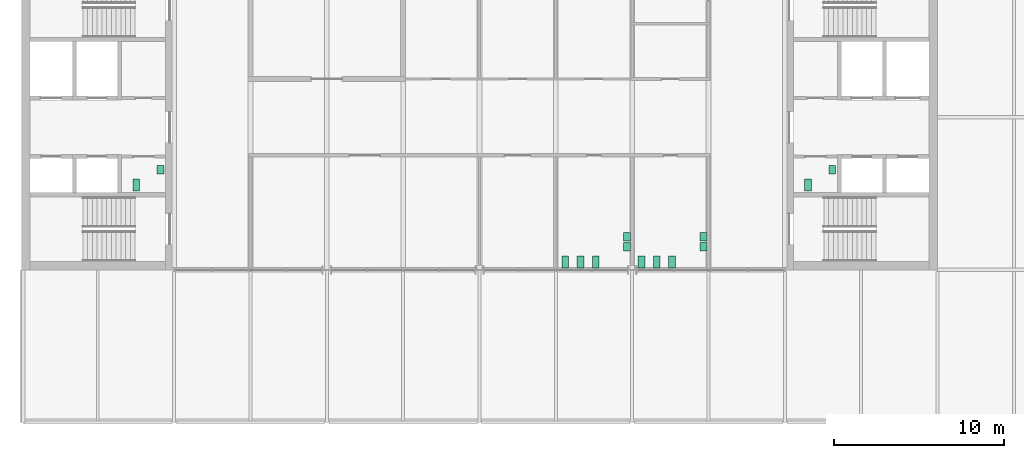
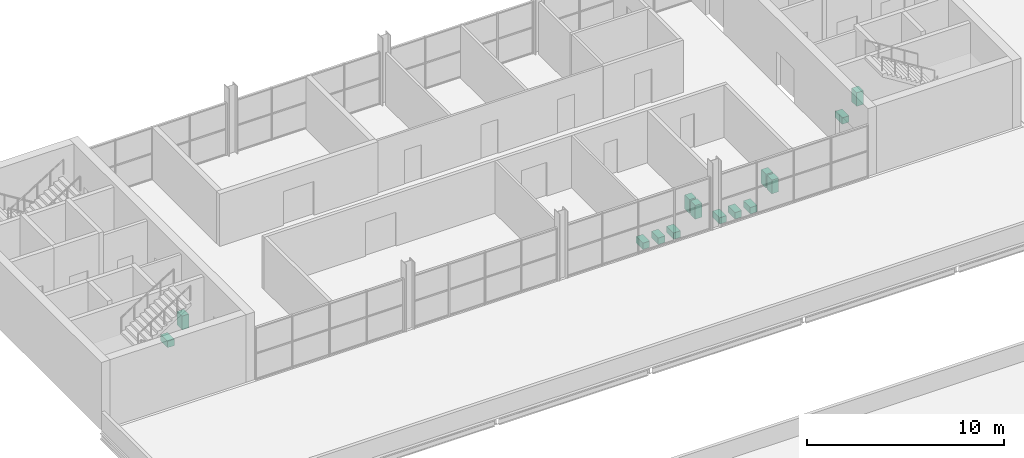
# One storey, part 50 of 50: 14 sanitary terminals.
"""IFC4 building model written with IfcOpenShell, lengths in metres."""

from ifc_helpers import new_model, si_unit, direction, frame, origin, origin_2d, place, context, subcontext, project, spatial, rectangle, extrude, element, save


model = new_model("IFC4")

# Units and contexts
model_context = context("Model", 3, precision=1e-05, world=origin(), true_north=direction((0.0, 1.0)))
body_context = subcontext(model_context, "Body", "Model", "MODEL_VIEW")
ifc_project = project(units=[si_unit("LENGTHUNIT", "METRE"), si_unit("AREAUNIT", "SQUARE_METRE"), si_unit("VOLUMEUNIT", "CUBIC_METRE"), si_unit("PLANEANGLEUNIT", "RADIAN"), si_unit("MASSUNIT", "GRAM", prefix="KILO")], contexts=[model_context])

# Site, building, storey
site_placement = place(None, origin())
site = spatial("IfcSite", under=ifc_project, at=site_placement, CompositionType="ELEMENT")
building_placement = place(site_placement, origin())
building = spatial("IfcBuilding", under=site, at=building_placement, Name="Corbel Yard City Hall", CompositionType="ELEMENT")
storey_placement = place(building_placement, frame((0.0, 0.0, 15.0)))
storey = spatial("IfcBuildingStorey", under=building, at=storey_placement, Name="L03", CompositionType="ELEMENT", Elevation=15.0)

# Sanitary terminals
sanitary_terminal_1_placement = place(storey_placement, frame((46.36669921875, 104.0, 0.0), z_axis=(0.0, 0.0, 1.0), x_axis=(1.0, 0.0, 0.0)))
element("IfcSanitaryTerminal", 1, at=sanitary_terminal_1_placement, inside=storey, Name="Water closet", PredefinedType="TOILETPAN", context=body_context, shape_type="SweptSolid", body=[
    extrude(rectangle(XDim=0.39990234375, YDim=0.699951171875, at=origin_2d()), origin(), (0.0, 0.0, 1.0), 0.39990234375),
])
sanitary_terminal_2_placement = place(storey_placement, frame((47.800048828125, 104.89990234375, 0.0), z_axis=(0.0, 0.0, 1.0), x_axis=(1.0, 0.0, 0.0)))
element("IfcSanitaryTerminal", 2, at=sanitary_terminal_2_placement, inside=storey, Name="Wash basin", PredefinedType="WASHHANDBASIN", context=body_context, shape_type="SweptSolid", body=[
    extrude(rectangle(XDim=0.39990234375, YDim=0.5, at=origin_2d()), origin(), (0.0, 0.0, 1.0), 0.85009765625),
])
sanitary_terminal_3_placement = place(storey_placement, frame((6.7666015625, 104.0, 0.0), z_axis=(0.0, 0.0, 1.0), x_axis=(1.0, 0.0, 0.0)))
element("IfcSanitaryTerminal", 3, at=sanitary_terminal_3_placement, inside=storey, Name="Water closet", PredefinedType="TOILETPAN", context=body_context, shape_type="SweptSolid", body=[
    extrude(rectangle(XDim=0.39990234375, YDim=0.699951171875, at=origin_2d()), origin(), (0.0, 0.0, 1.0), 0.39990234375),
])
sanitary_terminal_4_placement = place(storey_placement, frame((8.199951171875, 104.89990234375, 0.0), z_axis=(0.0, 0.0, 1.0), x_axis=(1.0, 0.0, 0.0)))
element("IfcSanitaryTerminal", 4, at=sanitary_terminal_4_placement, inside=storey, Name="Wash basin", PredefinedType="WASHHANDBASIN", context=body_context, shape_type="SweptSolid", body=[
    extrude(rectangle(XDim=0.39990234375, YDim=0.5, at=origin_2d()), origin(), (0.0, 0.0, 1.0), 0.85009765625),
])
for number, where, z_axis, x_axis, name in (
    (5, (32.050048828125, 99.449951171875, 0.0), (0.0, 0.0, 1.0), (1.0, 0.0, 0.0), "Water closet"),
    (6, (32.949951171875, 99.449951171875, 0.0), (0.0, 0.0, 1.0), (1.0, 0.0, 0.0), "Water closet"),
    (7, (33.85009765625, 99.449951171875, 0.0), (0.0, 0.0, 1.0), (1.0, 0.0, 0.0), "Water closet"),
):
    element("IfcSanitaryTerminal", number, at=place(storey_placement, frame(where, z_axis=z_axis, x_axis=x_axis)), inside=storey, Name=name, PredefinedType="TOILETPAN", context=body_context, shape_type="SweptSolid", body=[
        extrude(rectangle(XDim=0.39990234375, YDim=0.699951171875, at=origin_2d()), origin(), (0.0, 0.0, 1.0), 0.39990234375),
    ])
for number, where, z_axis, x_axis, name in (
    (8, (35.699951171875, 100.35009765625, 0.0), (0.0, 0.0, 1.0), (1.0, 0.0, 0.0), "Wash basin"),
    (9, (35.699951171875, 100.949951171875, 0.0), (0.0, 0.0, 1.0), (1.0, 0.0, 0.0), "Wash basin"),
):
    element("IfcSanitaryTerminal", number, at=place(storey_placement, frame(where, z_axis=z_axis, x_axis=x_axis)), inside=storey, Name=name, PredefinedType="WASHHANDBASIN", context=body_context, shape_type="SweptSolid", body=[
        extrude(rectangle(XDim=0.39990234375, YDim=0.5, at=origin_2d()), origin(), (0.0, 0.0, 1.0), 0.85009765625),
    ])
for number, where, z_axis, x_axis, name in (
    (10, (36.550048828125, 99.449951171875, 0.0), (0.0, 0.0, 1.0), (1.0, 0.0, 0.0), "Water closet"),
    (11, (37.449951171875, 99.449951171875, 0.0), (0.0, 0.0, 1.0), (1.0, 0.0, 0.0), "Water closet"),
    (12, (38.35009765625, 99.449951171875, 0.0), (0.0, 0.0, 1.0), (1.0, 0.0, 0.0), "Water closet"),
):
    element("IfcSanitaryTerminal", number, at=place(storey_placement, frame(where, z_axis=z_axis, x_axis=x_axis)), inside=storey, Name=name, PredefinedType="TOILETPAN", context=body_context, shape_type="SweptSolid", body=[
        extrude(rectangle(XDim=0.39990234375, YDim=0.699951171875, at=origin_2d()), origin(), (0.0, 0.0, 1.0), 0.39990234375),
    ])
for number, where, z_axis, x_axis, name in (
    (13, (40.199951171875, 100.35009765625, 0.0), (0.0, 0.0, 1.0), (1.0, 0.0, 0.0), "Wash basin"),
    (14, (40.199951171875, 100.949951171875, 0.0), (0.0, 0.0, 1.0), (1.0, 0.0, 0.0), "Wash basin"),
):
    element("IfcSanitaryTerminal", number, at=place(storey_placement, frame(where, z_axis=z_axis, x_axis=x_axis)), inside=storey, Name=name, PredefinedType="WASHHANDBASIN", context=body_context, shape_type="SweptSolid", body=[
        extrude(rectangle(XDim=0.39990234375, YDim=0.5, at=origin_2d()), origin(), (0.0, 0.0, 1.0), 0.85009765625),
    ])

save(model, "model.ifc")
